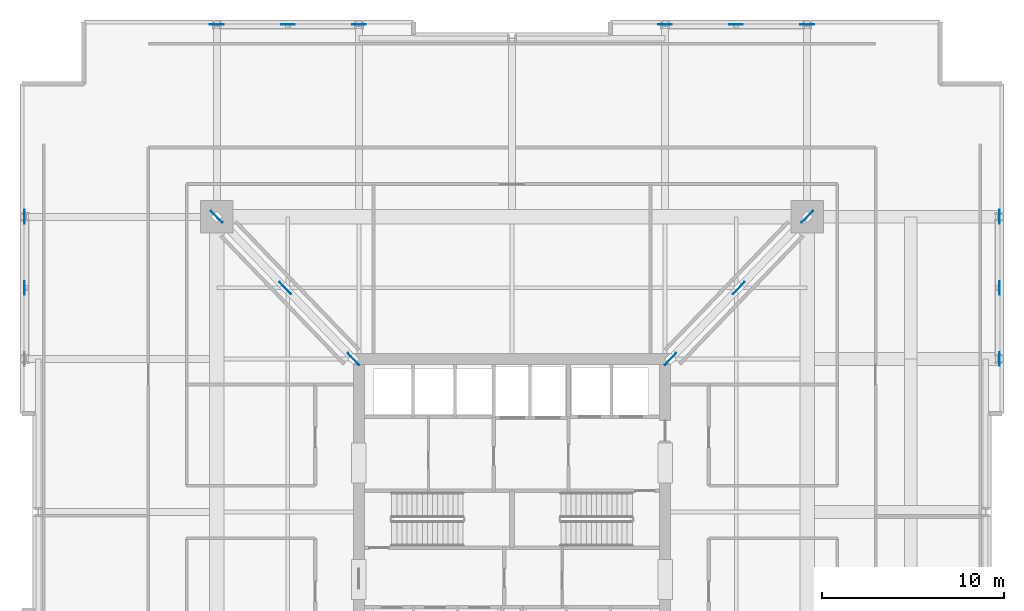
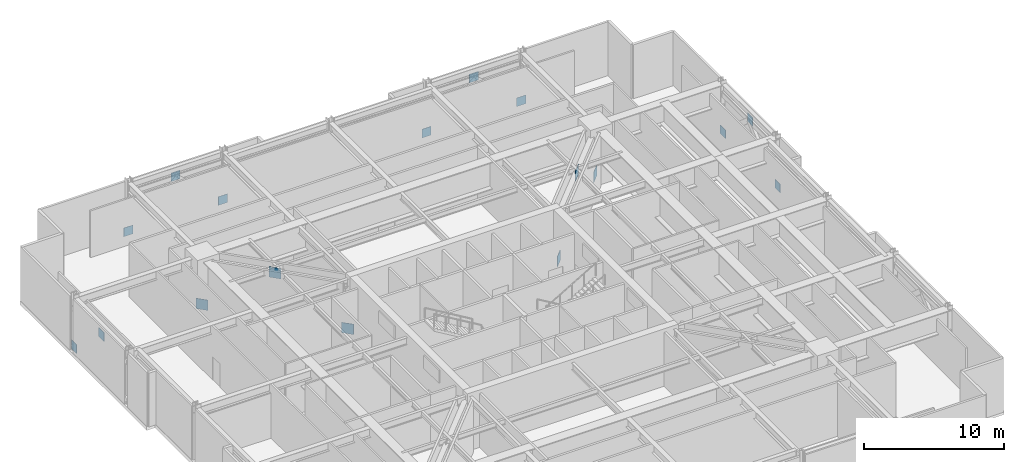
# One storey, part 6 of 13: 17 plates.
"""IFC4 building model written with IfcOpenShell, lengths in metres."""

from ifc_helpers import new_model, si_unit, direction, frame, origin, origin_2d, place, context, subcontext, project, spatial, rectangle, extrude, material, layer, layer_set, type_object, element, save


model = new_model("IFC4")

# Units and contexts
model_context = context("Model", 3, precision=1e-05, world=origin(), true_north=direction((0.0, 1.0)))
body_context = subcontext(model_context, "Body", "Model", "MODEL_VIEW")
ifc_project = project(units=[si_unit("LENGTHUNIT", "METRE"), si_unit("AREAUNIT", "SQUARE_METRE"), si_unit("VOLUMEUNIT", "CUBIC_METRE"), si_unit("PLANEANGLEUNIT", "RADIAN"), si_unit("MASSUNIT", "GRAM", prefix="KILO")], contexts=[model_context])

# Site, building, storey
site_placement = place(None, origin())
site = spatial("IfcSite", under=ifc_project, at=site_placement, CompositionType="ELEMENT")
building_placement = place(site_placement, origin())
building = spatial("IfcBuilding", under=site, at=building_placement, Name="Drelvath Grand Hotel", CompositionType="ELEMENT")
storey_placement = place(building_placement, frame((0.0, 0.0, 82.199951171875)))
storey = spatial("IfcBuildingStorey", under=building, at=storey_placement, Name="L20", CompositionType="ELEMENT", Elevation=82.199951171875)

# Plates
ifc_material = material(Name="Steel ASTM A572 Gr 50", Category="steel")
ifc_layer_1 = layer(ifc_material, 0.031982421875)
ifc_layer_set_1 = layer_set([ifc_layer_1], Name="Steel ASTM A572 Gr 50")
plate_type_1 = type_object("IfcPlateType", Name="Belt Truss Node Gusset Plate 32mm", PredefinedType="USERDEFINED", material=ifc_layer_set_1)
for number, where, z_axis, x_axis, name in (
    (1, (-26.75, 39.300048828125, 3.405029296875), (0.0, 0.0, 1.0), (0.0, 1.0, 0.0), "L20 Belt Truss Apex Gusset BW-N"),
    (2, (-26.75, 43.199951171875, -0.02490234375), (0.0, 0.0, 1.0), (0.0, 1.0, 0.0), "L20 Belt Truss End Gusset BW-N"),
    (3, (26.75, 35.39990234375, -0.02490234375), (0.0, 0.0, 1.0), (0.0, 1.0, 0.0), "L20 Belt Truss Start Gusset BE-N"),
    (4, (26.75, 39.300048828125, 3.405029296875), (0.0, 0.0, 1.0), (0.0, 1.0, 0.0), "L20 Belt Truss Apex Gusset BE-N"),
    (5, (26.75, 43.199951171875, -0.02490234375), (0.0, 0.0, 1.0), (0.0, 1.0, 0.0), "L20 Belt Truss End Gusset BE-N"),
    (6, (-16.199951171875, 53.75, -0.02490234375), (0.0, 0.0, 1.0), (1.0, 0.0, 0.0), "L20 Belt Truss Start Gusset BN-W"),
    (7, (-12.300048828125, 53.75, 3.405029296875), (0.0, 0.0, 1.0), (1.0, 0.0, 0.0), "L20 Belt Truss Apex Gusset BN-W"),
    (8, (-8.39990234375, 53.75, -0.02490234375), (0.0, 0.0, 1.0), (1.0, 0.0, 0.0), "L20 Belt Truss End Gusset BN-W"),
    (9, (8.39990234375, 53.75, -0.02490234375), (0.0, 0.0, 1.0), (1.0, 0.0, 0.0), "L20 Belt Truss Start Gusset BN-E"),
    (10, (12.300048828125, 53.75, 3.405029296875), (0.0, 0.0, 1.0), (1.0, 0.0, 0.0), "L20 Belt Truss Apex Gusset BN-E"),
    (11, (16.199951171875, 53.75, -0.02490234375), (0.0, 0.0, 1.0), (1.0, 0.0, 0.0), "L20 Belt Truss End Gusset BN-E"),
):
    element("IfcPlate", number, at=place(storey_placement, frame(where, z_axis=z_axis, x_axis=x_axis)), inside=storey, type_object=plate_type_1, Name=name, ObjectType="GUSSET_PLATE", PredefinedType="USERDEFINED", context=body_context, shape_type="SweptSolid", body=[
        extrude(rectangle(XDim=0.75, YDim=0.031982421875, at=origin_2d()), origin(), (0.0, 0.0, 1.0), 0.75),
    ])
ifc_layer_2 = layer(ifc_material, 0.0400390625)
ifc_layer_set_2 = layer_set([ifc_layer_2], Name="Steel ASTM A572 Gr 50")
plate_type_2 = type_object("IfcPlateType", Name="Outrigger Node Gusset Plate 40mm", PredefinedType="USERDEFINED", material=ifc_layer_set_2)
for number, where, z_axis, x_axis, name in (
    (12, (-8.699951171875, 35.39990234375, -0.099853515625), (0.0, 0.0, 1.0), (-0.693108716253, 0.720833064901, 0.0), "L20 Outrigger Node Gusset NW-1"),
    (13, (-12.449951171875, 39.300048828125, 3.7001953125), (0.0, 0.0, 1.0), (-0.693108716253, 0.720833064901, 0.0), "L20 Outrigger Node Gusset NW-2"),
    (14, (-16.199951171875, 43.199951171875, -0.099853515625), (0.0, 0.0, 1.0), (-0.693108716253, 0.720833064901, 0.0), "L20 Outrigger Node Gusset NW-3"),
    (15, (8.699951171875, 35.39990234375, -0.099853515625), (0.0, 0.0, 1.0), (0.693108716253, 0.720833064901, 0.0), "L20 Outrigger Node Gusset NE-1"),
    (16, (12.449951171875, 39.300048828125, 3.7001953125), (0.0, 0.0, 1.0), (0.693108716253, 0.720833064901, 0.0), "L20 Outrigger Node Gusset NE-2"),
    (17, (16.199951171875, 43.199951171875, -0.099853515625), (0.0, 0.0, 1.0), (0.693108716253, 0.720833064901, 0.0), "L20 Outrigger Node Gusset NE-3"),
):
    element("IfcPlate", number, at=place(storey_placement, frame(where, z_axis=z_axis, x_axis=x_axis)), inside=storey, type_object=plate_type_2, Name=name, ObjectType="GUSSET_PLATE", PredefinedType="USERDEFINED", context=body_context, shape_type="SweptSolid", body=[
        extrude(rectangle(XDim=0.89990234375, YDim=0.0400390625, at=origin_2d()), origin(), (0.0, 0.0, 1.0), 0.89990234375),
    ])

save(model, "model.ifc")
